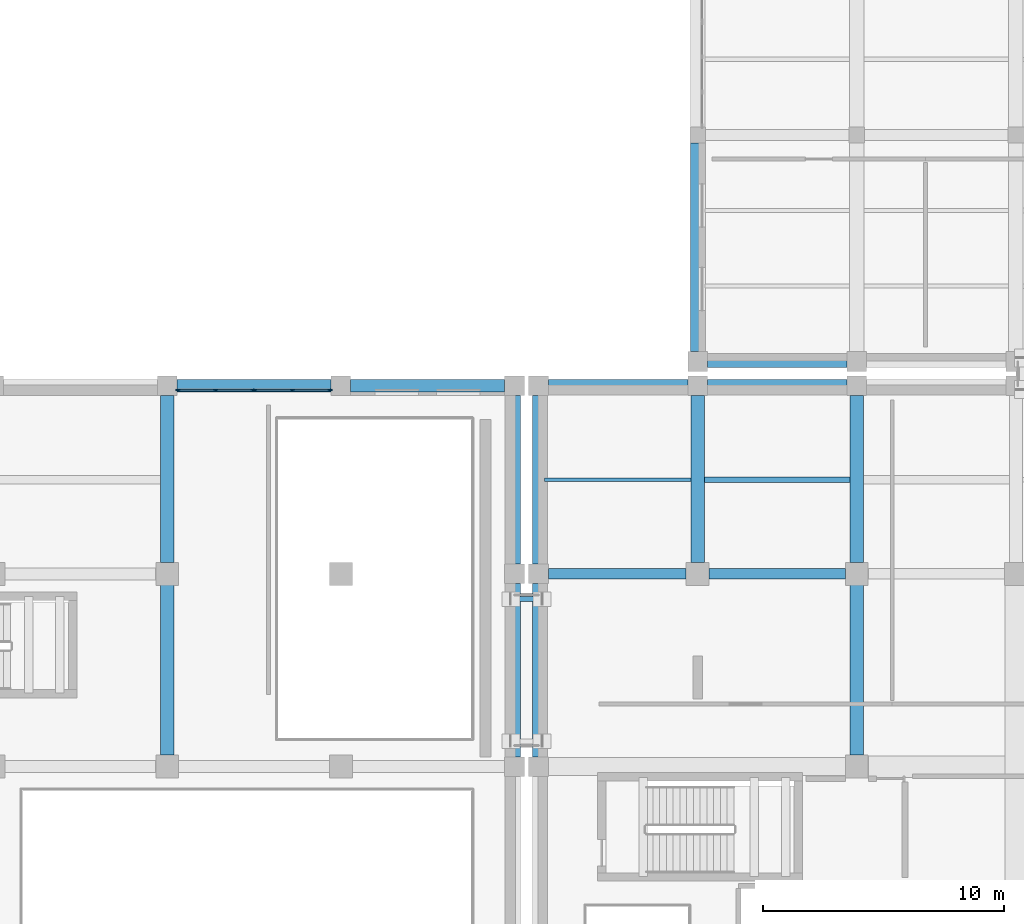
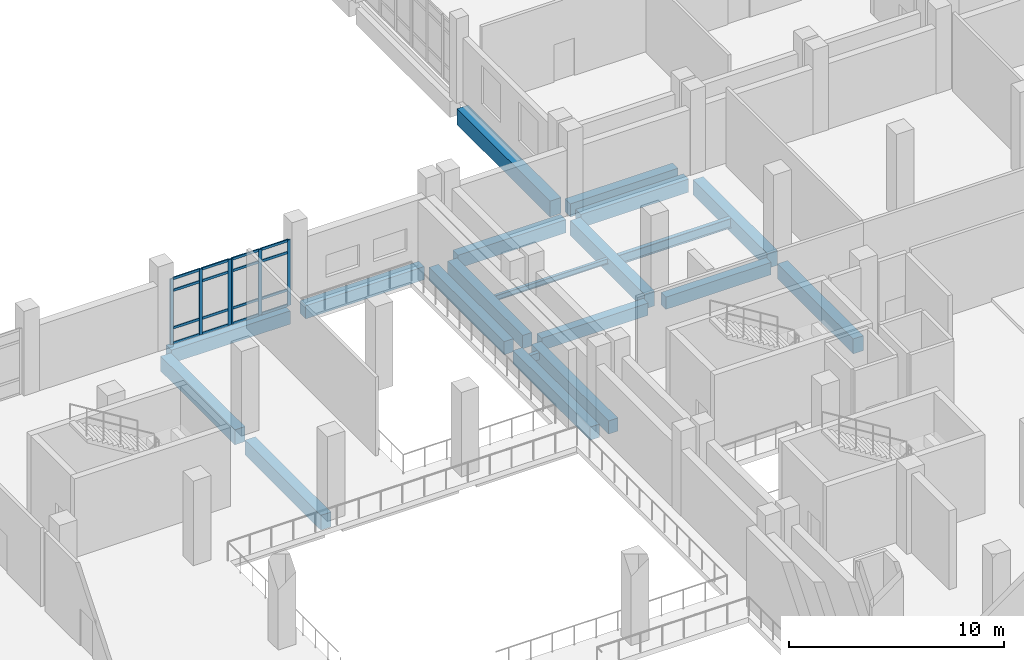
# One storey, part 33 of 90: 22 members, 20 beams, 2 elements without a shape of their own.
"""IFC4 building model written with IfcOpenShell, lengths in metres."""

from ifc_helpers import new_model, si_unit, direction, frame, origin, origin_2d, place, context, subcontext, project, spatial, rectangle, hollow_rectangle, i_section, extrude, material, layer, layer_set, material_profile, profile_set, type_object, element, aggregate, save


model = new_model("IFC4")

# Units and contexts
model_context = context("Model", 3, precision=1e-05, world=origin(), true_north=direction((0.0, 1.0)))
body_context = subcontext(model_context, "Body", "Model", "MODEL_VIEW")
ifc_project = project(units=[si_unit("LENGTHUNIT", "METRE"), si_unit("AREAUNIT", "SQUARE_METRE"), si_unit("VOLUMEUNIT", "CUBIC_METRE"), si_unit("PLANEANGLEUNIT", "RADIAN"), si_unit("MASSUNIT", "GRAM", prefix="KILO")], contexts=[model_context])

# Site, building, storey
site_placement = place(None, origin())
site = spatial("IfcSite", under=ifc_project, at=site_placement, CompositionType="ELEMENT")
building_placement = place(site_placement, origin())
building = spatial("IfcBuilding", under=site, at=building_placement, Name="Kelarvand Opera House", CompositionType="ELEMENT")
storey_placement = place(building_placement, frame((0.0, 0.0, 5.39990234375)))
storey = spatial("IfcBuildingStorey", under=building, at=storey_placement, Name="L01", CompositionType="ELEMENT", Elevation=5.39990234375)

# Curtain wall, members
ifc_material_1 = material(Name="Thermally broken aluminium and low-E glazing", Category="aluminium")
ifc_layer = layer(ifc_material_1, 0.179931640625, Name="Thermally broken aluminium and low-E glazing", Category="aluminium")
ifc_layer_set = layer_set([ifc_layer], Name="Thermally broken aluminium and low-E glazing")
curtain_wall_type = type_object("IfcCurtainWallType", Name="Unitised Low-E Curtain Wall 3176x3730 Mod 1350 CWF-10", PredefinedType="USERDEFINED", material=ifc_layer_set)
curtain_wall_1_placement = place(storey_placement, origin())
curtain_wall_1 = element("IfcCurtainWall", 1, at=curtain_wall_1_placement, inside=storey, type_object=curtain_wall_type, Name="V2 L01 Curtain Wall CWF-10 (33)", ObjectType="UNITISED CURTAIN WALL", PredefinedType="USERDEFINED")
ifc_material_2 = material(Name="Thermally broken anodised aluminium", Category="aluminium")
ifc_material_profile_1 = material_profile(ifc_material_2, rectangle(XDim=0.06494140625, YDim=0.179931640625, at=origin_2d()), Name="ALU MULLION 65x180", Category="aluminium")
ifc_profile_set_1 = profile_set([ifc_material_profile_1], Name="Thermally broken anodised aluminium")
member_type_1 = type_object("IfcMemberType", Name="Curtain Wall Mullion 65x180 Aluminium", PredefinedType="MULLION", material=ifc_profile_set_1)
member_1_placement = place(storey_placement, frame((74.052490234375, 86.02001953125, 0.0), z_axis=(0.0, 0.0, 1.0), x_axis=(0.0, 1.0, 0.0)))
member_1 = element("IfcMember", 2, at=member_1_placement, type_object=member_type_1, Name="CWF-10 mullion 1", PredefinedType="MULLION", context=body_context, shape_type="SweptSolid", body=[
    extrude(rectangle(XDim=0.06494140625, YDim=0.179931640625, at=origin_2d()), origin(), (0.0, 0.0, 1.0), 3.72998046875),
])
member_2_placement = place(storey_placement, frame((75.60791015625, 86.02001953125, 0.0), z_axis=(0.0, 0.0, 1.0), x_axis=(0.0, 1.0, 0.0)))
member_2 = element("IfcMember", 3, at=member_2_placement, type_object=member_type_1, Name="CWF-10 mullion 2", PredefinedType="MULLION", context=body_context, shape_type="SweptSolid", body=[
    extrude(rectangle(XDim=0.06494140625, YDim=0.179931640625, at=origin_2d()), origin(), (0.0, 0.0, 1.0), 3.72998046875),
])
member_3_placement = place(storey_placement, frame((77.16357421875, 86.02001953125, 0.0), z_axis=(0.0, 0.0, 1.0), x_axis=(0.0, 1.0, 0.0)))
member_3 = element("IfcMember", 4, at=member_3_placement, type_object=member_type_1, Name="CWF-10 mullion 3", PredefinedType="MULLION", context=body_context, shape_type="SweptSolid", body=[
    extrude(rectangle(XDim=0.06494140625, YDim=0.179931640625, at=origin_2d()), origin(), (0.0, 0.0, 1.0), 3.72998046875),
])

curtain_wall_2_placement = place(storey_placement, origin())
curtain_wall_2 = element("IfcCurtainWall", 5, at=curtain_wall_2_placement, inside=storey, type_object=curtain_wall_type, Name="V2 L01 Curtain Wall CWF-10 (34)", ObjectType="UNITISED CURTAIN WALL", PredefinedType="USERDEFINED")
member_4_placement = place(storey_placement, frame((77.232421875, 86.02001953125, 0.0), z_axis=(0.0, 0.0, 1.0), x_axis=(0.0, 1.0, 0.0)))
member_4 = element("IfcMember", 6, at=member_4_placement, type_object=member_type_1, Name="CWF-10 mullion 1", PredefinedType="MULLION", context=body_context, shape_type="SweptSolid", body=[
    extrude(rectangle(XDim=0.06494140625, YDim=0.179931640625, at=origin_2d()), origin(), (0.0, 0.0, 1.0), 3.72998046875),
])
member_5_placement = place(storey_placement, frame((78.7900390625, 86.02001953125, 0.0), z_axis=(0.0, 0.0, 1.0), x_axis=(0.0, 1.0, 0.0)))
member_5 = element("IfcMember", 7, at=member_5_placement, type_object=member_type_1, Name="CWF-10 mullion 2", PredefinedType="MULLION", context=body_context, shape_type="SweptSolid", body=[
    extrude(rectangle(XDim=0.06494140625, YDim=0.179931640625, at=origin_2d()), origin(), (0.0, 0.0, 1.0), 3.72998046875),
])
member_6_placement = place(storey_placement, frame((80.347412109375, 86.02001953125, 0.0), z_axis=(0.0, 0.0, 1.0), x_axis=(0.0, 1.0, 0.0)))
member_6 = element("IfcMember", 8, at=member_6_placement, type_object=member_type_1, Name="CWF-10 mullion 3", PredefinedType="MULLION", context=body_context, shape_type="SweptSolid", body=[
    extrude(rectangle(XDim=0.06494140625, YDim=0.179931640625, at=origin_2d()), origin(), (0.0, 0.0, 1.0), 3.72998046875),
])

# Member
ifc_material_profile_2 = material_profile(ifc_material_2, rectangle(XDim=0.06494140625, YDim=0.139892578125, at=origin_2d()), Name="ALU TRANSOM 65x140", Category="aluminium")
ifc_profile_set_2 = profile_set([ifc_material_profile_2], Name="Thermally broken anodised aluminium")
member_type_2 = type_object("IfcMemberType", Name="Curtain Wall Transom 65x140 Aluminium", PredefinedType="USERDEFINED", material=ifc_profile_set_2)
member_7_placement = place(storey_placement, frame((74.0849609375, 86.02001953125, 0.03271484375), z_axis=(1.0, 0.0, 0.0), x_axis=(0.0, 1.0, 0.0)))
member_7 = element("IfcMember", 9, at=member_7_placement, type_object=member_type_2, Name="CWF-10 transom 1.1", ObjectType="TRANSOM", PredefinedType="USERDEFINED", context=body_context, shape_type="SweptSolid", body=[
    extrude(rectangle(XDim=0.06494140625, YDim=0.139892578125, at=origin_2d()), origin(), (0.0, 0.0, 1.0), 1.490478515625),
])

member_8_placement = place(storey_placement, frame((74.0849609375, 86.02001953125, 0.900146484375), z_axis=(1.0, 0.0, 0.0), x_axis=(0.0, 1.0, 0.0)))
member_8 = element("IfcMember", 10, at=member_8_placement, type_object=member_type_2, Name="CWF-10 transom 1.2", ObjectType="TRANSOM", PredefinedType="USERDEFINED", context=body_context, shape_type="SweptSolid", body=[
    extrude(rectangle(XDim=0.06494140625, YDim=0.139892578125, at=origin_2d()), origin(), (0.0, 0.0, 1.0), 1.490478515625),
])

member_9_placement = place(storey_placement, frame((74.0849609375, 86.02001953125, 3.030029296875), z_axis=(1.0, 0.0, 0.0), x_axis=(0.0, 1.0, 0.0)))
member_9 = element("IfcMember", 11, at=member_9_placement, type_object=member_type_2, Name="CWF-10 transom 1.3", ObjectType="TRANSOM", PredefinedType="USERDEFINED", context=body_context, shape_type="SweptSolid", body=[
    extrude(rectangle(XDim=0.06494140625, YDim=0.139892578125, at=origin_2d()), origin(), (0.0, 0.0, 1.0), 1.490478515625),
])

member_10_placement = place(storey_placement, frame((74.0849609375, 86.02001953125, 3.697509765625), z_axis=(1.0, 0.0, 0.0), x_axis=(0.0, 1.0, 0.0)))
member_10 = element("IfcMember", 12, at=member_10_placement, type_object=member_type_2, Name="CWF-10 transom 1.4", ObjectType="TRANSOM", PredefinedType="USERDEFINED", context=body_context, shape_type="SweptSolid", body=[
    extrude(rectangle(XDim=0.06494140625, YDim=0.139892578125, at=origin_2d()), origin(), (0.0, 0.0, 1.0), 1.490478515625),
])

member_11_placement = place(storey_placement, frame((75.640380859375, 86.02001953125, 0.03271484375), z_axis=(1.0, 0.0, 0.0), x_axis=(0.0, 1.0, 0.0)))
member_11 = element("IfcMember", 13, at=member_11_placement, type_object=member_type_2, Name="CWF-10 transom 2.1", ObjectType="TRANSOM", PredefinedType="USERDEFINED", context=body_context, shape_type="SweptSolid", body=[
    extrude(rectangle(XDim=0.06494140625, YDim=0.139892578125, at=origin_2d()), origin(), (0.0, 0.0, 1.0), 1.49072265625),
])

member_12_placement = place(storey_placement, frame((75.640380859375, 86.02001953125, 0.900146484375), z_axis=(1.0, 0.0, 0.0), x_axis=(0.0, 1.0, 0.0)))
member_12 = element("IfcMember", 14, at=member_12_placement, type_object=member_type_2, Name="CWF-10 transom 2.2", ObjectType="TRANSOM", PredefinedType="USERDEFINED", context=body_context, shape_type="SweptSolid", body=[
    extrude(rectangle(XDim=0.06494140625, YDim=0.139892578125, at=origin_2d()), origin(), (0.0, 0.0, 1.0), 1.49072265625),
])

member_13_placement = place(storey_placement, frame((75.640380859375, 86.02001953125, 3.030029296875), z_axis=(1.0, 0.0, 0.0), x_axis=(0.0, 1.0, 0.0)))
member_13 = element("IfcMember", 15, at=member_13_placement, type_object=member_type_2, Name="CWF-10 transom 2.3", ObjectType="TRANSOM", PredefinedType="USERDEFINED", context=body_context, shape_type="SweptSolid", body=[
    extrude(rectangle(XDim=0.06494140625, YDim=0.139892578125, at=origin_2d()), origin(), (0.0, 0.0, 1.0), 1.49072265625),
])

member_14_placement = place(storey_placement, frame((75.640380859375, 86.02001953125, 3.697509765625), z_axis=(1.0, 0.0, 0.0), x_axis=(0.0, 1.0, 0.0)))
member_14 = element("IfcMember", 16, at=member_14_placement, type_object=member_type_2, Name="CWF-10 transom 2.4", ObjectType="TRANSOM", PredefinedType="USERDEFINED", context=body_context, shape_type="SweptSolid", body=[
    extrude(rectangle(XDim=0.06494140625, YDim=0.139892578125, at=origin_2d()), origin(), (0.0, 0.0, 1.0), 1.49072265625),
])

aggregate(curtain_wall_1, [member_1, member_2, member_3, member_7, member_8, member_9, member_10, member_11, member_12, member_13, member_14])

member_15_placement = place(storey_placement, frame((77.264892578125, 86.02001953125, 0.03271484375), z_axis=(1.0, 0.0, 0.0), x_axis=(0.0, 1.0, 0.0)))
member_15 = element("IfcMember", 17, at=member_15_placement, type_object=member_type_2, Name="CWF-10 transom 1.1", ObjectType="TRANSOM", PredefinedType="USERDEFINED", context=body_context, shape_type="SweptSolid", body=[
    extrude(rectangle(XDim=0.06494140625, YDim=0.139892578125, at=origin_2d()), origin(), (0.0, 0.0, 1.0), 1.49267578125),
])

member_16_placement = place(storey_placement, frame((77.264892578125, 86.02001953125, 0.900146484375), z_axis=(1.0, 0.0, 0.0), x_axis=(0.0, 1.0, 0.0)))
member_16 = element("IfcMember", 18, at=member_16_placement, type_object=member_type_2, Name="CWF-10 transom 1.2", ObjectType="TRANSOM", PredefinedType="USERDEFINED", context=body_context, shape_type="SweptSolid", body=[
    extrude(rectangle(XDim=0.06494140625, YDim=0.139892578125, at=origin_2d()), origin(), (0.0, 0.0, 1.0), 1.49267578125),
])

member_17_placement = place(storey_placement, frame((77.264892578125, 86.02001953125, 3.030029296875), z_axis=(1.0, 0.0, 0.0), x_axis=(0.0, 1.0, 0.0)))
member_17 = element("IfcMember", 19, at=member_17_placement, type_object=member_type_2, Name="CWF-10 transom 1.3", ObjectType="TRANSOM", PredefinedType="USERDEFINED", context=body_context, shape_type="SweptSolid", body=[
    extrude(rectangle(XDim=0.06494140625, YDim=0.139892578125, at=origin_2d()), origin(), (0.0, 0.0, 1.0), 1.49267578125),
])

member_18_placement = place(storey_placement, frame((77.264892578125, 86.02001953125, 3.697509765625), z_axis=(1.0, 0.0, 0.0), x_axis=(0.0, 1.0, 0.0)))
member_18 = element("IfcMember", 20, at=member_18_placement, type_object=member_type_2, Name="CWF-10 transom 1.4", ObjectType="TRANSOM", PredefinedType="USERDEFINED", context=body_context, shape_type="SweptSolid", body=[
    extrude(rectangle(XDim=0.06494140625, YDim=0.139892578125, at=origin_2d()), origin(), (0.0, 0.0, 1.0), 1.49267578125),
])

member_19_placement = place(storey_placement, frame((78.822509765625, 86.02001953125, 0.03271484375), z_axis=(1.0, 0.0, 0.0), x_axis=(0.0, 1.0, 0.0)))
member_19 = element("IfcMember", 21, at=member_19_placement, type_object=member_type_2, Name="CWF-10 transom 2.1", ObjectType="TRANSOM", PredefinedType="USERDEFINED", context=body_context, shape_type="SweptSolid", body=[
    extrude(rectangle(XDim=0.06494140625, YDim=0.139892578125, at=origin_2d()), origin(), (0.0, 0.0, 1.0), 1.492431640625),
])

member_20_placement = place(storey_placement, frame((78.822509765625, 86.02001953125, 0.900146484375), z_axis=(1.0, 0.0, 0.0), x_axis=(0.0, 1.0, 0.0)))
member_20 = element("IfcMember", 22, at=member_20_placement, type_object=member_type_2, Name="CWF-10 transom 2.2", ObjectType="TRANSOM", PredefinedType="USERDEFINED", context=body_context, shape_type="SweptSolid", body=[
    extrude(rectangle(XDim=0.06494140625, YDim=0.139892578125, at=origin_2d()), origin(), (0.0, 0.0, 1.0), 1.492431640625),
])

member_21_placement = place(storey_placement, frame((78.822509765625, 86.02001953125, 3.030029296875), z_axis=(1.0, 0.0, 0.0), x_axis=(0.0, 1.0, 0.0)))
member_21 = element("IfcMember", 23, at=member_21_placement, type_object=member_type_2, Name="CWF-10 transom 2.3", ObjectType="TRANSOM", PredefinedType="USERDEFINED", context=body_context, shape_type="SweptSolid", body=[
    extrude(rectangle(XDim=0.06494140625, YDim=0.139892578125, at=origin_2d()), origin(), (0.0, 0.0, 1.0), 1.492431640625),
])

member_22_placement = place(storey_placement, frame((78.822509765625, 86.02001953125, 3.697509765625), z_axis=(1.0, 0.0, 0.0), x_axis=(0.0, 1.0, 0.0)))
member_22 = element("IfcMember", 24, at=member_22_placement, type_object=member_type_2, Name="CWF-10 transom 2.4", ObjectType="TRANSOM", PredefinedType="USERDEFINED", context=body_context, shape_type="SweptSolid", body=[
    extrude(rectangle(XDim=0.06494140625, YDim=0.139892578125, at=origin_2d()), origin(), (0.0, 0.0, 1.0), 1.492431640625),
])

aggregate(curtain_wall_2, [member_4, member_5, member_6, member_15, member_16, member_17, member_18, member_19, member_20, member_21, member_22])

# Beams
ifc_material_3 = material(Name="Concrete C40/50", Category="concrete")
ifc_material_profile_3 = material_profile(ifc_material_3, rectangle(XDim=0.449951171875, YDim=0.699951171875, at=origin_2d()), Name="RC 450x700", Category="concrete")
ifc_profile_set_3 = profile_set([ifc_material_profile_3], Name="Concrete C40/50")
beam_type_1 = type_object("IfcBeamType", Name="Structural Beam RC 450x700 BM-RC450x700", PredefinedType="BEAM", material=ifc_profile_set_3)
beam_1_placement = place(storey_placement, frame((89.409912109375, 78.39990234375, -0.64990234375), z_axis=(1.0, 0.0, 0.0), x_axis=(0.0, 1.0, 0.0)))
element("IfcBeam", 25, at=beam_1_placement, inside=storey, type_object=beam_type_1, Name="V1 L01 Beam BM-RC450x700", PredefinedType="BEAM", context=body_context, shape_type="SweptSolid", body=[
    extrude(rectangle(XDim=0.449951171875, YDim=0.699951171875, at=origin_2d()), origin(), (0.0, 0.0, 1.0), 5.715087890625),
])
beam_2_placement = place(storey_placement, frame((96.074951171875, 78.39990234375, -0.64990234375), z_axis=(1.0, 0.0, 0.0), x_axis=(0.0, 1.0, 0.0)))
element("IfcBeam", 26, at=beam_2_placement, inside=storey, type_object=beam_type_1, Name="V1 L01 Beam BM-RC450x700", PredefinedType="BEAM", context=body_context, shape_type="SweptSolid", body=[
    extrude(rectangle(XDim=0.449951171875, YDim=0.699951171875, at=origin_2d()), origin(), (0.0, 0.0, 1.0), 5.650146484375),
])
ifc_material_profile_4 = material_profile(ifc_material_3, rectangle(XDim=0.550048828125, YDim=0.85009765625, at=origin_2d()), Name="RC 550x850", Category="concrete")
ifc_profile_set_4 = profile_set([ifc_material_profile_4], Name="Concrete C40/50")
beam_type_2 = type_object("IfcBeamType", Name="Structural Beam RC 550x850 BM-RC550x850", PredefinedType="BEAM", material=ifc_profile_set_4)
beam_3_placement = place(storey_placement, frame((95.60009765625, 78.875, -0.724853515625), z_axis=(0.0, 1.0, 0.0), x_axis=(-1.0, 0.0, 0.0)))
element("IfcBeam", 27, at=beam_3_placement, inside=storey, type_object=beam_type_2, Name="V1 L01 Beam BM-RC550x850", PredefinedType="BEAM", context=body_context, shape_type="SweptSolid", body=[
    extrude(rectangle(XDim=0.550048828125, YDim=0.85009765625, at=origin_2d()), origin(), (0.0, 0.0, 1.0), 6.9150390625),
])
beam_4_placement = place(storey_placement, frame((102.199951171875, 70.875, -0.724853515625), z_axis=(0.0, 1.0, 0.0), x_axis=(-1.0, 0.0, 0.0)))
element("IfcBeam", 28, at=beam_4_placement, inside=storey, type_object=beam_type_2, Name="V1 L01 Beam BM-RC550x850", PredefinedType="BEAM", context=body_context, shape_type="SweptSolid", body=[
    extrude(rectangle(XDim=0.550048828125, YDim=0.85009765625, at=origin_2d()), origin(), (0.0, 0.0, 1.0), 7.050048828125),
])
beam_5_placement = place(storey_placement, frame((102.199951171875, 78.875, -0.724853515625), z_axis=(0.0, 1.0, 0.0), x_axis=(-1.0, 0.0, 0.0)))
element("IfcBeam", 29, at=beam_5_placement, inside=storey, type_object=beam_type_2, Name="V1 L01 Beam BM-RC550x850", PredefinedType="BEAM", context=body_context, shape_type="SweptSolid", body=[
    extrude(rectangle(XDim=0.550048828125, YDim=0.85009765625, at=origin_2d()), origin(), (0.0, 0.0, 1.0), 6.9150390625),
])
beam_6_placement = place(storey_placement, frame((73.60009765625, 70.875, -0.724853515625), z_axis=(0.0, 1.0, 0.0), x_axis=(-1.0, 0.0, 0.0)))
element("IfcBeam", 30, at=beam_6_placement, inside=storey, type_object=beam_type_2, Name="V2 L01 Beam BM-RC550x850", PredefinedType="BEAM", context=body_context, shape_type="SweptSolid", body=[
    extrude(rectangle(XDim=0.550048828125, YDim=0.85009765625, at=origin_2d()), origin(), (0.0, 0.0, 1.0), 7.050048828125),
])
beam_7_placement = place(storey_placement, frame((73.60009765625, 78.875, -0.724853515625), z_axis=(0.0, 1.0, 0.0), x_axis=(-1.0, 0.0, 0.0)))
element("IfcBeam", 31, at=beam_7_placement, inside=storey, type_object=beam_type_2, Name="V2 L01 Beam BM-RC550x850", PredefinedType="BEAM", context=body_context, shape_type="SweptSolid", body=[
    extrude(rectangle(XDim=0.550048828125, YDim=0.85009765625, at=origin_2d()), origin(), (0.0, 0.0, 1.0), 6.9150390625),
])
ifc_material_4 = material(Name="Steel S355", Category="steel")
ifc_material_profile_5 = material_profile(ifc_material_4, hollow_rectangle(XDim=0.199951171875, YDim=0.39990234375, WallThickness=0.01611328125, at=origin_2d()), Name="RHS 400x200x16.0", Category="steel")
ifc_profile_set_5 = profile_set([ifc_material_profile_5], Name="Steel S355")
beam_type_3 = type_object("IfcBeamType", Name="Structural Beam RHS 400x200x16.0 BM-RHS400", PredefinedType="BEAM", material=ifc_profile_set_5)
beam_8_placement = place(storey_placement, frame((87.85009765625, 77.35009765625, -0.52001953125), z_axis=(1.0, 0.0, 0.0), x_axis=(0.0, 1.0, 0.0)))
element("IfcBeam", 32, at=beam_8_placement, inside=storey, type_object=beam_type_3, Name="Seismic Sliding Corbel Beam BR-JP-N L01 2", PredefinedType="BEAM", context=body_context, shape_type="SweptSolid", body=[
    extrude(hollow_rectangle(XDim=0.199951171875, YDim=0.39990234375, WallThickness=0.01611328125, at=origin_2d()), origin(), (0.0, 0.0, 1.0), 1.2998046875),
])
ifc_material_profile_6 = material_profile(ifc_material_4, i_section(OverallWidth=0.14990234375, OverallDepth=0.300048828125, WebThickness=0.007080078125, FlangeThickness=0.0107421875, at=origin_2d()), Name="IPE 300", Category="steel")
ifc_profile_set_6 = profile_set([ifc_material_profile_6], Name="Steel S355")
beam_type_4 = type_object("IfcBeamType", Name="Structural Joist IPE 300 JS-IPE300", PredefinedType="JOIST", material=ifc_profile_set_6)
beam_9_placement = place(storey_placement, frame((89.25, 82.300048828125, -0.449951171875), z_axis=(1.0, 0.0, 0.0), x_axis=(0.0, 1.0, 0.0)))
element("IfcBeam", 33, at=beam_9_placement, inside=storey, type_object=beam_type_4, Name="V1 L01 Beam JS-IPE300", PredefinedType="JOIST", context=body_context, shape_type="SweptSolid", body=[
    extrude(i_section(OverallWidth=0.14990234375, OverallDepth=0.300048828125, WebThickness=0.007080078125, FlangeThickness=0.0107421875, at=origin_2d()), origin(), (0.0, 0.0, 1.0), 6.074951171875),
])
ifc_material_profile_7 = material_profile(ifc_material_4, i_section(OverallWidth=0.2099609375, OverallDepth=0.550048828125, WebThickness=0.010986328125, FlangeThickness=0.01708984375, at=origin_2d()), Name="IPE 550", Category="steel")
ifc_profile_set_7 = profile_set([ifc_material_profile_7], Name="Steel S355")
beam_type_5 = type_object("IfcBeamType", Name="Structural Joist IPE 550 JS-IPE550", PredefinedType="JOIST", material=ifc_profile_set_7)
beam_10_placement = place(storey_placement, frame((95.875, 82.300048828125, -0.574951171875), z_axis=(1.0, 0.0, 0.0), x_axis=(0.0, 1.0, 0.0)))
element("IfcBeam", 34, at=beam_10_placement, inside=storey, type_object=beam_type_5, Name="V1 L01 Beam JS-IPE550", PredefinedType="JOIST", context=body_context, shape_type="SweptSolid", body=[
    extrude(i_section(OverallWidth=0.2099609375, OverallDepth=0.550048828125, WebThickness=0.010986328125, FlangeThickness=0.01708984375, at=origin_2d()), origin(), (0.0, 0.0, 1.0), 6.050048828125),
])
ifc_material_profile_8 = material_profile(ifc_material_3, rectangle(XDim=0.5, YDim=0.75, at=origin_2d()), Name="RC 500x750", Category="concrete")
ifc_profile_set_8 = profile_set([ifc_material_profile_8], Name="Concrete C40/50")
beam_type_6 = type_object("IfcBeamType", Name="Structural Spandrel RC 500x750 SP-RC500x750E", PredefinedType="SPANDREL", material=ifc_profile_set_8)
for number, where, z_axis, x_axis, name in (
    (35, (89.409912109375, 86.199951171875, -0.6748046875), (1.0, 0.0, 0.0), (0.0, 1.0, 0.0), "V1 L01 Beam SP-RC500x750E"),
    (36, (96.010009765625, 86.199951171875, -0.6748046875), (1.0, 0.0, 0.0), (0.0, 1.0, 0.0), "V1 L01 Beam SP-RC500x750E"),
):
    element("IfcBeam", number, at=place(storey_placement, frame(where, z_axis=z_axis, x_axis=x_axis)), inside=storey, type_object=beam_type_6, Name=name, PredefinedType="SPANDREL", context=body_context, shape_type="SweptSolid", body=[
        extrude(rectangle(XDim=0.5, YDim=0.75, at=origin_2d()), origin(), (0.0, 0.0, 1.0), 5.780029296875),
    ])
beam_11_placement = place(storey_placement, frame((89.0, 70.81005859375, -0.6748046875), z_axis=(0.0, 1.0, 0.0), x_axis=(-1.0, 0.0, 0.0)))
element("IfcBeam", 37, at=beam_11_placement, inside=storey, type_object=beam_type_6, Name="V1 L01 Beam SP-RC500x750E", PredefinedType="SPANDREL", context=body_context, shape_type="SweptSolid", body=[
    extrude(rectangle(XDim=0.5, YDim=0.75, at=origin_2d()), origin(), (0.0, 0.0, 1.0), 7.179931640625),
])
beam_12_placement = place(storey_placement, frame((89.0, 78.81005859375, -0.6748046875), z_axis=(0.0, 1.0, 0.0), x_axis=(-1.0, 0.0, 0.0)))
element("IfcBeam", 38, at=beam_12_placement, inside=storey, type_object=beam_type_6, Name="V1 L01 Beam SP-RC500x750E", PredefinedType="SPANDREL", context=body_context, shape_type="SweptSolid", body=[
    extrude(rectangle(XDim=0.5, YDim=0.75, at=origin_2d()), origin(), (0.0, 0.0, 1.0), 6.97998046875),
])
beam_13_placement = place(storey_placement, frame((74.010009765625, 86.199951171875, -0.6748046875), z_axis=(1.0, 0.0, 0.0), x_axis=(0.0, 1.0, 0.0)))
element("IfcBeam", 39, at=beam_13_placement, inside=storey, type_object=beam_type_6, Name="V2 L01 Beam SP-RC500x750E", PredefinedType="SPANDREL", context=body_context, shape_type="SweptSolid", body=[
    extrude(rectangle(XDim=0.5, YDim=0.75, at=origin_2d()), origin(), (0.0, 0.0, 1.0), 6.3798828125),
])
beam_14_placement = place(storey_placement, frame((81.2099609375, 86.199951171875, -0.6748046875), z_axis=(1.0, 0.0, 0.0), x_axis=(0.0, 1.0, 0.0)))
element("IfcBeam", 40, at=beam_14_placement, inside=storey, type_object=beam_type_6, Name="V2 L01 Beam SP-RC500x750E", PredefinedType="SPANDREL", context=body_context, shape_type="SweptSolid", body=[
    extrude(rectangle(XDim=0.5, YDim=0.75, at=origin_2d()), origin(), (0.0, 0.0, 1.0), 6.380126953125),
])
beam_15_placement = place(storey_placement, frame((88.0, 70.81005859375, -0.6748046875), z_axis=(0.0, 1.0, 0.0), x_axis=(-1.0, 0.0, 0.0)))
element("IfcBeam", 41, at=beam_15_placement, inside=storey, type_object=beam_type_6, Name="V2 L01 Beam SP-RC500x750E", PredefinedType="SPANDREL", context=body_context, shape_type="SweptSolid", body=[
    extrude(rectangle(XDim=0.5, YDim=0.75, at=origin_2d()), origin(), (0.0, 0.0, 1.0), 7.179931640625),
])
beam_16_placement = place(storey_placement, frame((88.0, 78.81005859375, -0.6748046875), z_axis=(0.0, 1.0, 0.0), x_axis=(-1.0, 0.0, 0.0)))
element("IfcBeam", 42, at=beam_16_placement, inside=storey, type_object=beam_type_6, Name="V2 L01 Beam SP-RC500x750E", PredefinedType="SPANDREL", context=body_context, shape_type="SweptSolid", body=[
    extrude(rectangle(XDim=0.5, YDim=0.75, at=origin_2d()), origin(), (0.0, 0.0, 1.0), 6.97998046875),
])
beam_17_placement = place(storey_placement, frame((96.010009765625, 87.199951171875, -0.6748046875), z_axis=(1.0, 0.0, 0.0), x_axis=(0.0, 1.0, 0.0)))
element("IfcBeam", 43, at=beam_17_placement, inside=storey, type_object=beam_type_6, Name="V5 L01 Beam SP-RC500x750E", PredefinedType="SPANDREL", context=body_context, shape_type="SweptSolid", body=[
    extrude(rectangle(XDim=0.5, YDim=0.75, at=origin_2d()), origin(), (0.0, 0.0, 1.0), 5.780029296875),
])
ifc_material_profile_9 = material_profile(ifc_material_3, rectangle(XDim=0.60009765625, YDim=0.89990234375, at=origin_2d()), Name="RC 600x900", Category="concrete")
ifc_profile_set_9 = profile_set([ifc_material_profile_9], Name="Concrete C40/50")
beam_type_7 = type_object("IfcBeamType", Name="Structural Spandrel RC 600x900 SP-RC600x900E", PredefinedType="SPANDREL", material=ifc_profile_set_9)
beam_18_placement = place(storey_placement, frame((95.60009765625, 87.610107421875, -0.75), z_axis=(0.0, 1.0, 0.0), x_axis=(-1.0, 0.0, 0.0)))
element("IfcBeam", 44, at=beam_18_placement, inside=storey, type_object=beam_type_7, Name="V5 L01 Beam SP-RC600x900E", PredefinedType="SPANDREL", context=body_context, shape_type="SweptSolid", body=[
    extrude(rectangle(XDim=0.60009765625, YDim=0.89990234375, at=origin_2d()), origin(), (0.0, 0.0, 1.0), 8.664794921875),
])

save(model, "model.ifc")
